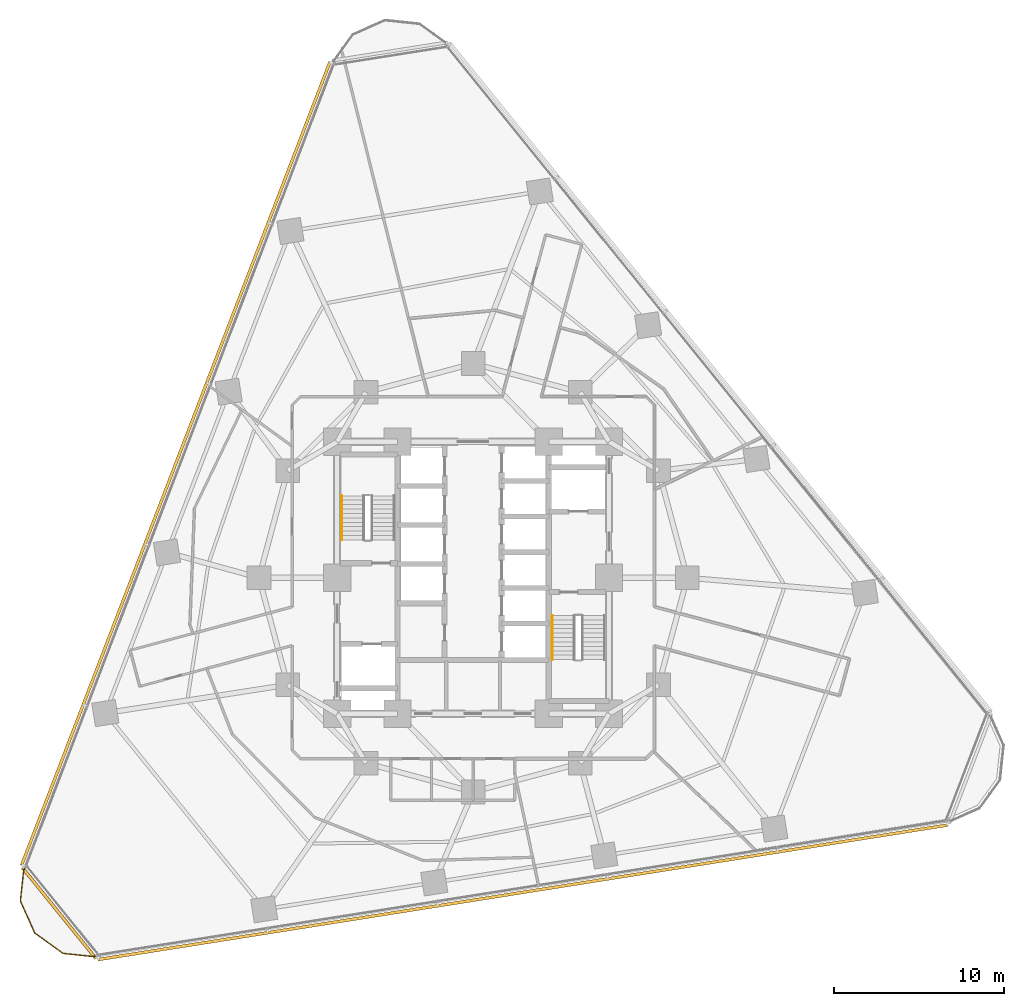
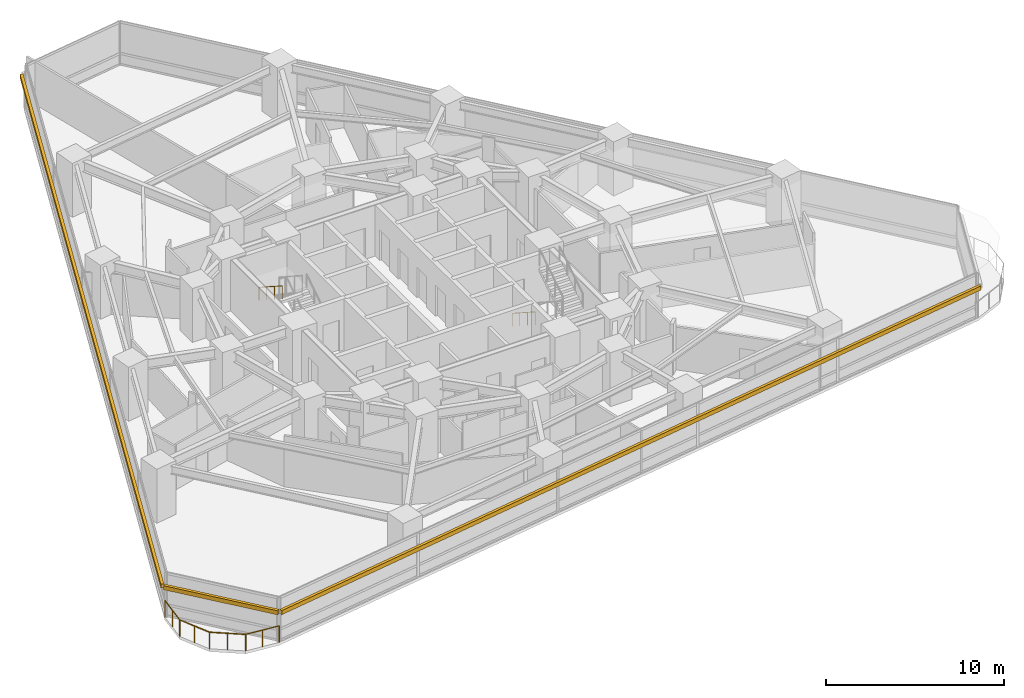
# One storey, part 12 of 14: 3 railings, 3 shading devices.
"""IFC4 building model written with IfcOpenShell, lengths in metres."""

from ifc_helpers import new_model, si_unit, direction, frame, origin, origin_2d, place, context, subcontext, project, spatial, rectangle, circle, extrude, material, layer, layer_set, type_object, element, save


model = new_model("IFC4")

# Units and contexts
model_context = context("Model", 3, precision=1e-05, world=origin(), true_north=direction((0.0, 1.0)))
body_context = subcontext(model_context, "Body", "Model", "MODEL_VIEW")
ifc_project = project(units=[si_unit("LENGTHUNIT", "METRE"), si_unit("AREAUNIT", "SQUARE_METRE"), si_unit("VOLUMEUNIT", "CUBIC_METRE"), si_unit("PLANEANGLEUNIT", "RADIAN"), si_unit("MASSUNIT", "GRAM", prefix="KILO")], contexts=[model_context])

# Site, building, storey
site_placement = place(None, origin())
site = spatial("IfcSite", under=ifc_project, at=site_placement, CompositionType="ELEMENT")
building_placement = place(site_placement, origin())
building = spatial("IfcBuilding", under=site, at=building_placement, Name="Terralouvre Media Tower", CompositionType="ELEMENT")
storey_placement = place(building_placement, frame((0.0, 0.0, 70.39990234375)))
storey = spatial("IfcBuildingStorey", under=building, at=storey_placement, Name="L17", CompositionType="ELEMENT", Elevation=70.39990234375)

# Railings
ifc_material_1 = material(Name="Stainless steel 316 handrail and balustrade", Category="steel")
ifc_layer_1 = layer(ifc_material_1, 0.06005859375, Name="Roof Edge Safety Guardrail GR-ROOF1")
ifc_layer_set_1 = layer_set([ifc_layer_1], Name="Stainless steel 316 handrail and balustrade")
railing_type_1 = type_object("IfcRailingType", Name="Roof Edge Safety Guardrail GR-ROOF1", PredefinedType="GUARDRAIL", material=ifc_layer_set_1)
railing_placement = place(storey_placement, frame((-26.424560546875, -16.965087890625, 0.0)))
element("IfcRailing", 1, at=railing_placement, inside=storey, type_object=railing_type_1, Name="L17 Wind-Corner Perimeter Safety Guardrail C0", PredefinedType="GUARDRAIL", context=body_context, shape_type="SweptSolid", body=[
    extrude(circle(Radius=0.02099609375, at=origin_2d()), frame((0.0, 0.0, 1.12890625), z_axis=(-0.104666273578, -0.994507401267, 0.0), x_axis=(0.994507401267, -0.104666273578, 0.0)), (0.0, 0.0, 1.0), 2.0595703125),
    extrude(circle(Radius=0.02099609375, at=origin_2d()), frame((-0.215576171875, -2.04833984375, 1.12890625), z_axis=(0.406644402356, -0.913586520278, 0.0), x_axis=(0.913586520278, 0.406644402356, 0.0)), (0.0, 0.0, 1.0), 2.059326171875),
    extrude(circle(Radius=0.02099609375, at=origin_2d()), frame((0.621826171875, -3.9296875, 1.12890625), z_axis=(0.809069210714, -0.587713375954, 0.0), x_axis=(0.587713375954, 0.809069210714, 0.0)), (0.0, 0.0, 1.0), 2.05908203125),
    extrude(circle(Radius=0.02099609375, at=origin_2d()), frame((2.287841796875, -5.139892578125, 1.12890625), z_axis=(0.994544355817, -0.104314545068, 0.0), x_axis=(0.104314545068, 0.994544355817, 0.0)), (0.0, 0.0, 1.0), 2.0595703125),
    extrude(circle(Radius=0.01904296875, at=origin_2d()), origin(), (0.0, 0.0, 1.0), 1.10791015625),
    extrude(circle(Radius=0.01904296875, at=origin_2d()), frame((-0.10791015625, -1.024169921875, 0.0)), (0.0, 0.0, 1.0), 1.10791015625),
    extrude(circle(Radius=0.01904296875, at=origin_2d()), frame((-0.215576171875, -2.04833984375, 0.0)), (0.0, 0.0, 1.0), 1.10791015625),
    extrude(circle(Radius=0.01904296875, at=origin_2d()), frame((0.203125, -2.989013671875, 0.0)), (0.0, 0.0, 1.0), 1.10791015625),
    extrude(circle(Radius=0.01904296875, at=origin_2d()), frame((0.621826171875, -3.9296875, 0.0)), (0.0, 0.0, 1.0), 1.10791015625),
    extrude(circle(Radius=0.01904296875, at=origin_2d()), frame((1.454833984375, -4.53466796875, 0.0)), (0.0, 0.0, 1.0), 1.10791015625),
    extrude(circle(Radius=0.01904296875, at=origin_2d()), frame((2.287841796875, -5.139892578125, 0.0)), (0.0, 0.0, 1.0), 1.10791015625),
    extrude(circle(Radius=0.01904296875, at=origin_2d()), frame((3.31201171875, -5.247314453125, 0.0)), (0.0, 0.0, 1.0), 1.10791015625),
    extrude(circle(Radius=0.01904296875, at=origin_2d()), frame((4.336181640625, -5.354736328125, 0.0)), (0.0, 0.0, 1.0), 1.10791015625),
])
ifc_material_2 = material(Name="Stainless steel 316 handrail and balustrade", Category="steel")
ifc_layer_2 = layer(ifc_material_2, 0.050048828125, Name="Stair Flight Wall Handrail HR-INT1")
ifc_layer_set_2 = layer_set([ifc_layer_2], Name="Stainless steel 316 handrail and balustrade")
railing_type_2 = type_object("IfcRailingType", Name="Stair Flight Wall Handrail HR-INT1", PredefinedType="HANDRAIL", material=ifc_layer_set_2)
for number, where, name in (
    (2, (-7.72998046875, 4.820068359375, 2.018310546875), "L17 ST-01 stair handrail 2"),
    (3, (4.64990234375, -2.219970703125, 0.168212890625), "L17 ST-02 stair handrail 1"),
):
    element("IfcRailing", number, at=place(storey_placement, frame(where)), inside=storey, type_object=railing_type_2, Name=name, PredefinedType="HANDRAIL", context=body_context, shape_type="SweptSolid", body=[
        extrude(circle(Radius=0.02392578125, at=origin_2d()), frame((0.0, 0.0, 0.8759765625), z_axis=(0.0, -0.839648411786, 0.543130320075), x_axis=(1.0, 0.0, 0.0)), (0.0, 0.0, 1.0), 3.0966796875),
        extrude(circle(Radius=0.02099609375, at=origin_2d()), origin(), (0.0, 0.0, 1.0), 0.851806640625),
        extrude(circle(Radius=0.02099609375, at=origin_2d()), frame((0.0, -0.86669921875, 0.560546875)), (0.0, 0.0, 1.0), 0.851806640625),
        extrude(circle(Radius=0.02099609375, at=origin_2d()), frame((0.0, -1.7333984375, 1.121337890625)), (0.0, 0.0, 1.0), 0.851806640625),
        extrude(circle(Radius=0.02099609375, at=origin_2d()), frame((0.0, -2.60009765625, 1.681884765625)), (0.0, 0.0, 1.0), 0.851806640625),
    ])

# Shading devices
ifc_material_3 = material(Name="Extruded terracotta baguette sunshade louvres", Category="masonry")
shading_device_type = type_object("IfcShadingDeviceType", Name="Terracotta Baguette Sunshade Louvre Screen TB-LV1", PredefinedType="USERDEFINED", material=ifc_material_3)
for number, where, z_axis, x_axis, name in (
    (4, (2.931396484375, -18.5078125, 2.02392578125), (0.0, 0.0, 1.0), (0.987688340934, 0.156434462903, 0.0), "CW-L17-F0 Terracotta Baguette Sunshade Louvre"),
    (5, (-17.493896484375, 6.71533203125, 2.02392578125), (0.0, 0.0, 1.0), (-0.358367917006, -0.933580438988, 0.0), "CW-L17-F2 Terracotta Baguette Sunshade Louvre"),
):
    element("IfcShadingDevice", number, at=place(storey_placement, frame(where, z_axis=z_axis, x_axis=x_axis)), inside=storey, type_object=shading_device_type, Name=name, ObjectType="BAGUETTE", PredefinedType="USERDEFINED", context=body_context, shape_type="SweptSolid", body=[
        extrude(rectangle(XDim=50.639892578125, YDim=0.179931640625, at=origin_2d()), origin(), (0.0, 0.0, 1.0), 0.280029296875),
    ])
shading_device_placement = place(storey_placement, frame((-24.361328125, -19.727294921875, 2.02392578125), z_axis=(0.0, 0.0, 1.0), x_axis=(0.629320031936, -0.777146252262, 0.0)))
element("IfcShadingDevice", 6, at=shading_device_placement, inside=storey, type_object=shading_device_type, Name="CW-L17-C0 Terracotta Baguette Sunshade Louvre", ObjectType="BAGUETTE", PredefinedType="USERDEFINED", context=body_context, shape_type="SweptSolid", body=[
    extrude(rectangle(XDim=6.8935546875, YDim=0.179931640625, at=origin_2d()), origin(), (0.0, 0.0, 1.0), 0.280029296875),
])

save(model, "model.ifc")
